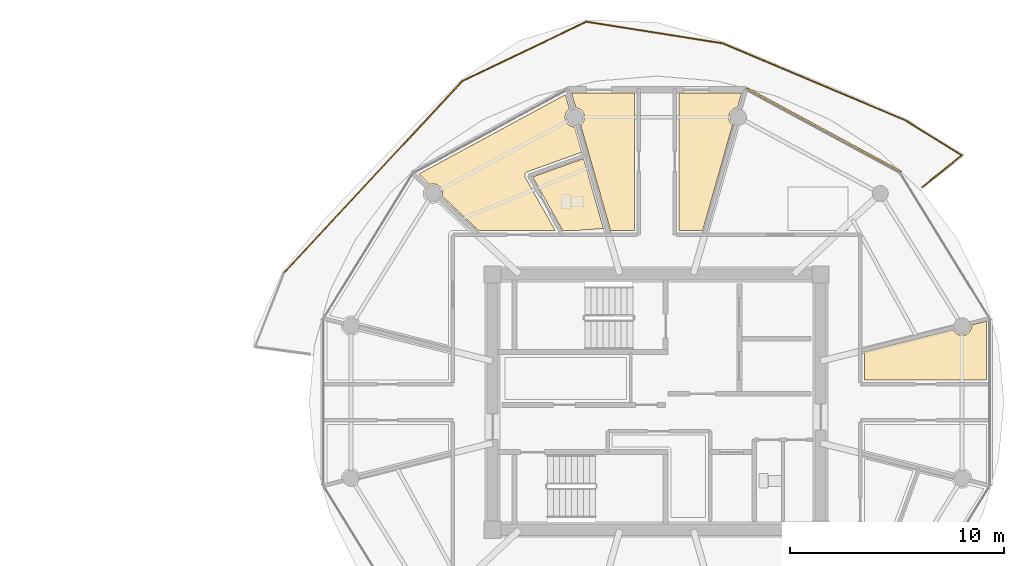
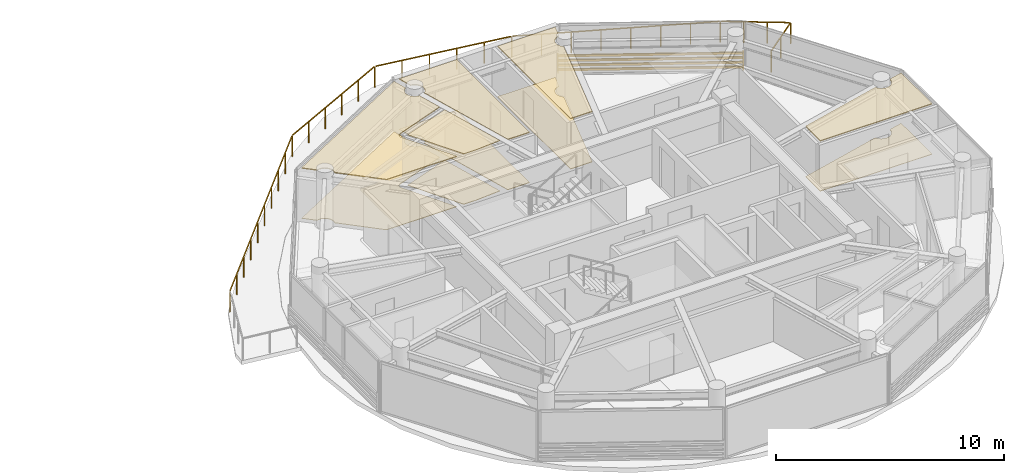
# One storey, part 20 of 21: 10 coverings, 1 railing, 1 shading device.
"""IFC4 building model written with IfcOpenShell, lengths in metres."""

from ifc_helpers import new_model, si_unit, direction, frame, origin, origin_2d, place, context, subcontext, project, spatial, polyline, rectangle, outline, extrude, source, transform, mapped, material, layer, layer_set, type_object, type_shapes, element, save


model = new_model("IFC4")

# Units and contexts
model_context = context("Model", 3, precision=1e-05, world=origin(), true_north=direction((0.0, 1.0)))
body_context = subcontext(model_context, "Body", "Model", "MODEL_VIEW")
ifc_project = project(units=[si_unit("LENGTHUNIT", "METRE"), si_unit("AREAUNIT", "SQUARE_METRE"), si_unit("VOLUMEUNIT", "CUBIC_METRE"), si_unit("PLANEANGLEUNIT", "RADIAN"), si_unit("MASSUNIT", "GRAM", prefix="KILO")], contexts=[model_context])

# Site, building, storey
site_placement = place(None, origin())
site = spatial("IfcSite", under=ifc_project, at=site_placement, CompositionType="ELEMENT")
building_placement = place(site_placement, origin())
building = spatial("IfcBuilding", under=site, at=building_placement, Name="Norrkilde Senior Care Towers", CompositionType="ELEMENT")
storey_placement = place(building_placement, frame((0.0, 0.0, 241.35009765625)))
storey = spatial("IfcBuildingStorey", under=building, at=storey_placement, Name="L75", CompositionType="ELEMENT", Elevation=241.35009765625)

# Coverings
ifc_material_1 = material(Name="Nordic Ash Timber", Category="wood")
ifc_layer_1 = layer(ifc_material_1, 0.044921875)
ifc_layer_set_1 = layer_set([ifc_layer_1], Name="Nordic Ash Timber")
covering_type_1 = type_object("IfcCoveringType", Name="Acoustic Ash Timber Slatted Ceiling 45", PredefinedType="CEILING", material=ifc_layer_set_1)
covering_1_placement = place(storey_placement, frame((0.0, 0.0, 2.684814453125)))
element("IfcCovering", 1, at=covering_1_placement, inside=storey, type_object=covering_type_1, Name="L75 Suspended Ceiling 0483", PredefinedType="CEILING", context=body_context, shape_type="SweptSolid", body=[
    extrude(outline(polyline([(26.9599609375, 14.407470703125), (26.9599609375, 8.0), (25.855224609375, 8.0), (24.458251953125, 12.924560546875), (24.504150390625, 12.959716796875), (24.576416015625, 13.053955078125), (24.621826171875, 13.163818359375), (24.637451171875, 13.281494140625), (24.621826171875, 13.399169921875), (24.576416015625, 13.509033203125), (24.504150390625, 13.603271484375), (24.409912109375, 13.675537109375), (24.30029296875, 13.720947265625), (24.229736328125, 13.730224609375), (24.03759765625, 14.407470703125), (26.9599609375, 14.407470703125)])), origin(), (0.0, 0.0, 1.0), 0.045166015625),
])
covering_2_placement = place(storey_placement, frame((0.0, 0.0, 2.684814453125)))
element("IfcCovering", 2, at=covering_2_placement, inside=storey, type_object=covering_type_1, Name="L75 Suspended Ceiling 0484", PredefinedType="CEILING", context=body_context, shape_type="SweptSolid", body=[
    extrude(outline(polyline([(31.96240234375, 14.407470703125), (31.770263671875, 13.730224609375), (31.69970703125, 13.720947265625), (31.590087890625, 13.675537109375), (31.495849609375, 13.603271484375), (31.423583984375, 13.509033203125), (31.378173828125, 13.399169921875), (31.362548828125, 13.281494140625), (31.378173828125, 13.163818359375), (31.423583984375, 13.053955078125), (31.495849609375, 12.959716796875), (31.541748046875, 12.924560546875), (30.144775390625, 8.0), (29.0400390625, 8.0), (29.0400390625, 14.407470703125), (31.96240234375, 14.407470703125)])), origin(), (0.0, 0.0, 1.0), 0.045166015625),
])
covering_3_placement = place(storey_placement, frame((0.0, 0.0, 2.684814453125)))
element("IfcCovering", 3, at=covering_3_placement, inside=storey, type_object=covering_type_1, Name="L75 Suspended Ceiling 0486", PredefinedType="CEILING", context=body_context, shape_type="SweptSolid", body=[
    extrude(outline(polyline([(43.37353515625, 1.0400390625), (37.699951171875, 1.0400390625), (37.699951171875, 2.331298828125), (41.834228515625, 3.377685546875), (41.853271484375, 3.331298828125), (41.92578125, 3.237060546875), (42.02001953125, 3.164794921875), (42.129638671875, 3.119384765625), (42.247314453125, 3.103759765625), (42.365234375, 3.119384765625), (42.474853515625, 3.164794921875), (42.569091796875, 3.237060546875), (42.641357421875, 3.331298828125), (42.68701171875, 3.44091796875), (42.702392578125, 3.558837890625), (42.697509765625, 3.59619140625), (43.37353515625, 3.76708984375), (43.37353515625, 1.0400390625)])), origin(), (0.0, 0.0, 1.0), 0.045166015625),
])
covering_4_placement = place(storey_placement, frame((0.0, 0.0, 2.684814453125)))
element("IfcCovering", 4, at=covering_4_placement, inside=storey, type_object=covering_type_1, Name="L75 Suspended Ceiling 0488", PredefinedType="CEILING", context=body_context, shape_type="SweptSolid", body=[
    extrude(outline(polyline([(21.9404296875, 10.7255859375), (21.934814453125, 10.7216796875), (21.925537109375, 10.71484375), (21.920166015625, 10.710693359375), (21.91162109375, 10.702880859375), (21.90673828125, 10.6982421875), (21.89892578125, 10.689697265625), (21.89453125, 10.684326171875), (21.8876953125, 10.675048828125), (21.8837890625, 10.66943359375), (21.877685546875, 10.65966796875), (21.87451171875, 10.65380859375), (21.869384765625, 10.643310546875), (21.86669921875, 10.63720703125), (21.86279296875, 10.626220703125), (21.860595703125, 10.619873046875), (21.857666015625, 10.608642578125), (21.856201171875, 10.60205078125), (21.8544921875, 10.590576171875), (21.853515625, 10.583740234375), (21.852783203125, 10.572265625), (21.852783203125, 10.5654296875), (21.85302734375, 10.553955078125), (21.853515625, 10.547119140625), (21.85498046875, 10.53564453125), (21.856201171875, 10.529052734375), (21.85888671875, 10.517578125), (21.860595703125, 10.51123046875), (21.8642578125, 10.500244140625), (21.86669921875, 10.493896484375), (21.871337890625, 10.483154296875), (21.87451171875, 10.47705078125), (21.877197265625, 10.471923828125), (23.27099609375, 8.0), (19.705322265625, 8.0), (18.0087890625, 9.6025390625), (18.009765625, 9.60498046875), (18.025146484375, 9.72265625), (18.009765625, 9.840576171875), (17.964111328125, 9.9501953125), (17.891845703125, 10.04443359375), (17.797607421875, 10.11669921875), (17.68798828125, 10.162109375), (17.570068359375, 10.177734375), (17.452392578125, 10.162109375), (17.42724609375, 10.15185546875), (16.91357421875, 10.636962890625), (23.746337890625, 14.335693359375), (23.937255859375, 13.662109375), (23.860595703125, 13.603271484375), (23.788330078125, 13.509033203125), (23.742919921875, 13.399169921875), (23.7275390625, 13.281494140625), (23.742919921875, 13.163818359375), (23.788330078125, 13.053955078125), (23.860595703125, 12.959716796875), (23.954833984375, 12.887451171875), (24.064697265625, 12.842041015625), (24.174072265625, 12.82763671875), (24.508056640625, 11.650634765625), (21.978515625, 10.744140625), (21.97314453125, 10.7421875), (21.966796875, 10.739501953125), (21.956298828125, 10.734619140625), (21.950439453125, 10.7314453125), (21.9404296875, 10.7255859375)])), origin(), (0.0, 0.0, 1.0), 0.045166015625),
])

# Railing
ifc_material_2 = material(Name="Anodised Aluminium", Category="aluminium")
railing_type = type_object("IfcRailingType", Name="Balcony Swirl Ribbon Guardrail 1150", PredefinedType="GUARDRAIL", material=ifc_material_2)
railing_placement = place(storey_placement, frame((10.617431640625, 6.021240234375, 0.0)))
element("IfcRailing", 5, at=railing_placement, inside=storey, type_object=railing_type, Name="L75 Perimeter Safety Guard 01", PredefinedType="GUARDRAIL", context=body_context, shape_type="SweptSolid", body=[
    extrude(rectangle(XDim=0.048095703125, YDim=0.048095703125, at=origin_2d()), frame((0.0, 0.0, 1.1259765625), z_axis=(0.680966679703, 0.732314400469, 0.0), x_axis=(-0.732314400469, 0.680966679703, 0.0)), (0.0, 0.0, 1.0), 12.178466796875),
    extrude(rectangle(XDim=0.048095703125, YDim=0.048095703125, at=origin_2d()), frame((8.35791015625, 8.966064453125, 1.1259765625), z_axis=(0.902106529392, 0.431513394495, 0.0), x_axis=(-0.431513394495, 0.902106529392, 0.0)), (0.0, 0.0, 1.0), 6.334228515625),
    extrude(rectangle(XDim=0.048095703125, YDim=0.048095703125, at=origin_2d()), frame((14.149169921875, 11.710693359375, 1.1259765625), z_axis=(0.987644093939, -0.156713572183, 0.0), x_axis=(0.156713572183, 0.987644093939, 0.0)), (0.0, 0.0, 1.0), 6.361572265625),
    extrude(rectangle(XDim=0.048095703125, YDim=0.048095703125, at=origin_2d()), frame((20.51025390625, 10.69140625, 1.1259765625), z_axis=(0.921416473427, -0.388576482172, 0.0), x_axis=(0.388576482172, 0.921416473427, 0.0)), (0.0, 0.0, 1.0), 9.16162109375),
    extrude(rectangle(XDim=0.048095703125, YDim=0.048095703125, at=origin_2d()), frame((29.0244140625, 7.093994140625, 1.1259765625), z_axis=(0.849636504071, -0.527368761826, 0.0), x_axis=(0.527368761826, 0.849636504071, 0.0)), (0.0, 0.0, 1.0), 3.00830078125),
    extrude(rectangle(XDim=0.048095703125, YDim=0.048095703125, at=origin_2d()), frame((31.583251953125, 5.460205078125, 1.1259765625), z_axis=(-0.780363358272, -0.625326338056, 0.0), x_axis=(0.625326338056, -0.780363358272, 0.0)), (0.0, 0.0, 1.0), 2.31640625),
    extrude(rectangle(XDim=0.0419921875, YDim=0.0419921875, at=origin_2d()), origin(), (0.0, 0.0, 1.0), 1.099853515625),
    extrude(rectangle(XDim=0.0419921875, YDim=0.0419921875, at=origin_2d()), frame((0.924560546875, 0.994384765625, 0.0)), (0.0, 0.0, 1.0), 1.099853515625),
    extrude(rectangle(XDim=0.0419921875, YDim=0.0419921875, at=origin_2d()), frame((1.84912109375, 1.988525390625, 0.0)), (0.0, 0.0, 1.0), 1.099853515625),
    extrude(rectangle(XDim=0.0419921875, YDim=0.0419921875, at=origin_2d()), frame((2.773681640625, 2.98291015625, 0.0)), (0.0, 0.0, 1.0), 1.099853515625),
    extrude(rectangle(XDim=0.0419921875, YDim=0.0419921875, at=origin_2d()), frame((3.6982421875, 3.97705078125, 0.0)), (0.0, 0.0, 1.0), 1.099853515625),
    extrude(rectangle(XDim=0.0419921875, YDim=0.0419921875, at=origin_2d()), frame((4.622802734375, 4.971435546875, 0.0)), (0.0, 0.0, 1.0), 1.099853515625),
    extrude(rectangle(XDim=0.0419921875, YDim=0.0419921875, at=origin_2d()), frame((5.54736328125, 5.965576171875, 0.0)), (0.0, 0.0, 1.0), 1.099853515625),
    extrude(rectangle(XDim=0.0419921875, YDim=0.0419921875, at=origin_2d()), frame((6.471923828125, 6.9599609375, 0.0)), (0.0, 0.0, 1.0), 1.099853515625),
    extrude(rectangle(XDim=0.0419921875, YDim=0.0419921875, at=origin_2d()), frame((7.396484375, 7.9541015625, 0.0)), (0.0, 0.0, 1.0), 1.099853515625),
    extrude(rectangle(XDim=0.0419921875, YDim=0.0419921875, at=origin_2d()), frame((8.321044921875, 8.948486328125, 0.0)), (0.0, 0.0, 1.0), 1.099853515625),
    extrude(rectangle(XDim=0.0419921875, YDim=0.0419921875, at=origin_2d()), frame((9.478515625, 9.502197265625, 0.0)), (0.0, 0.0, 1.0), 1.099853515625),
    extrude(rectangle(XDim=0.0419921875, YDim=0.0419921875, at=origin_2d()), frame((10.63623046875, 10.055908203125, 0.0)), (0.0, 0.0, 1.0), 1.099853515625),
    extrude(rectangle(XDim=0.0419921875, YDim=0.0419921875, at=origin_2d()), frame((11.793701171875, 10.609619140625, 0.0)), (0.0, 0.0, 1.0), 1.099853515625),
    extrude(rectangle(XDim=0.0419921875, YDim=0.0419921875, at=origin_2d()), frame((12.951416015625, 11.163330078125, 0.0)), (0.0, 0.0, 1.0), 1.099853515625),
    extrude(rectangle(XDim=0.0419921875, YDim=0.0419921875, at=origin_2d()), frame((14.10888671875, 11.717041015625, 0.0)), (0.0, 0.0, 1.0), 1.099853515625),
    extrude(rectangle(XDim=0.0419921875, YDim=0.0419921875, at=origin_2d()), frame((15.381591796875, 11.51513671875, 0.0)), (0.0, 0.0, 1.0), 1.099853515625),
    extrude(rectangle(XDim=0.0419921875, YDim=0.0419921875, at=origin_2d()), frame((16.654296875, 11.313232421875, 0.0)), (0.0, 0.0, 1.0), 1.099853515625),
    extrude(rectangle(XDim=0.0419921875, YDim=0.0419921875, at=origin_2d()), frame((17.92724609375, 11.111083984375, 0.0)), (0.0, 0.0, 1.0), 1.099853515625),
    extrude(rectangle(XDim=0.0419921875, YDim=0.0419921875, at=origin_2d()), frame((19.199951171875, 10.9091796875, 0.0)), (0.0, 0.0, 1.0), 1.099853515625),
    extrude(rectangle(XDim=0.0419921875, YDim=0.0419921875, at=origin_2d()), frame((20.47265625, 10.707275390625, 0.0)), (0.0, 0.0, 1.0), 1.099853515625),
    extrude(rectangle(XDim=0.0419921875, YDim=0.0419921875, at=origin_2d()), frame((21.689453125, 10.194091796875, 0.0)), (0.0, 0.0, 1.0), 1.099853515625),
    extrude(rectangle(XDim=0.0419921875, YDim=0.0419921875, at=origin_2d()), frame((22.906005859375, 9.68115234375, 0.0)), (0.0, 0.0, 1.0), 1.099853515625),
    extrude(rectangle(XDim=0.0419921875, YDim=0.0419921875, at=origin_2d()), frame((24.122802734375, 9.16796875, 0.0)), (0.0, 0.0, 1.0), 1.099853515625),
    extrude(rectangle(XDim=0.0419921875, YDim=0.0419921875, at=origin_2d()), frame((25.339599609375, 8.65478515625, 0.0)), (0.0, 0.0, 1.0), 1.099853515625),
    extrude(rectangle(XDim=0.0419921875, YDim=0.0419921875, at=origin_2d()), frame((26.556396484375, 8.1416015625, 0.0)), (0.0, 0.0, 1.0), 1.099853515625),
    extrude(rectangle(XDim=0.0419921875, YDim=0.0419921875, at=origin_2d()), frame((27.77294921875, 7.628662109375, 0.0)), (0.0, 0.0, 1.0), 1.099853515625),
    extrude(rectangle(XDim=0.0419921875, YDim=0.0419921875, at=origin_2d()), frame((28.98974609375, 7.115478515625, 0.0)), (0.0, 0.0, 1.0), 1.099853515625),
    extrude(rectangle(XDim=0.0419921875, YDim=0.0419921875, at=origin_2d()), frame((29.864990234375, 6.572265625, 0.0)), (0.0, 0.0, 1.0), 1.099853515625),
    extrude(rectangle(XDim=0.0419921875, YDim=0.0419921875, at=origin_2d()), frame((30.739990234375, 6.029052734375, 0.0)), (0.0, 0.0, 1.0), 1.099853515625),
    extrude(rectangle(XDim=0.0419921875, YDim=0.0419921875, at=origin_2d()), frame((31.615234375, 5.48583984375, 0.0)), (0.0, 0.0, 1.0), 1.099853515625),
    extrude(rectangle(XDim=0.0419921875, YDim=0.0419921875, at=origin_2d()), frame((30.6953125, 4.748779296875, 0.0)), (0.0, 0.0, 1.0), 1.099853515625),
    extrude(rectangle(XDim=0.0419921875, YDim=0.0419921875, at=origin_2d()), frame((29.775634765625, 4.01171875, 0.0)), (0.0, 0.0, 1.0), 1.099853515625),
])

# Coverings
ifc_material_3 = material(Name="Gypsum Acoustic Board")
ifc_layer_2 = layer(ifc_material_3, 0.030029296875)
ifc_layer_set_2 = layer_set([ifc_layer_2], Name="Gypsum Acoustic Board")
covering_type_2 = type_object("IfcCoveringType", Name="Medical Cleanable Gypsum Ceiling 30", PredefinedType="CEILING", material=ifc_layer_set_2)
covering_5_placement = place(storey_placement, frame((0.0, 0.0, 2.699951171875)))
element("IfcCovering", 6, at=covering_5_placement, inside=storey, type_object=covering_type_2, Name="L75 Suspended Ceiling 0489", PredefinedType="CEILING", context=body_context, shape_type="SweptSolid", body=[
    extrude(outline(polyline([(22.217041015625, 10.50048828125), (24.5927734375, 11.3515625), (25.516357421875, 8.095458984375), (24.24609375, 8.0), (23.626953125, 8.0), (22.217041015625, 10.50048828125)])), origin(), (0.0, 0.0, 1.0), 0.030029296875),
])
ifc_material_4 = material(Name="Slip-Resistant Porcelain Stone", Category="masonry")
ifc_layer_3 = layer(ifc_material_4, 0.02490234375)
ifc_layer_set_3 = layer_set([ifc_layer_3], Name="Slip-Resistant Porcelain Stone")
covering_type_3 = type_object("IfcCoveringType", Name="Slip-Resistant Porcelain Flooring 25", PredefinedType="FLOORING", material=ifc_layer_set_3)
covering_6_placement = place(storey_placement, origin())
element("IfcCovering", 7, at=covering_6_placement, inside=storey, type_object=covering_type_3, Name="L75 Floor Finish 0483", PredefinedType="FLOORING", context=body_context, shape_type="SweptSolid", body=[
    extrude(outline(polyline([(26.9599609375, 14.407470703125), (26.9599609375, 8.0), (25.855224609375, 8.0), (24.458251953125, 12.924560546875), (24.504150390625, 12.959716796875), (24.576416015625, 13.053955078125), (24.621826171875, 13.163818359375), (24.637451171875, 13.281494140625), (24.621826171875, 13.399169921875), (24.576416015625, 13.509033203125), (24.504150390625, 13.603271484375), (24.409912109375, 13.675537109375), (24.30029296875, 13.720947265625), (24.229736328125, 13.730224609375), (24.03759765625, 14.407470703125), (26.9599609375, 14.407470703125)])), origin(), (0.0, 0.0, 1.0), 0.02490234375),
])
covering_7_placement = place(storey_placement, origin())
element("IfcCovering", 8, at=covering_7_placement, inside=storey, type_object=covering_type_3, Name="L75 Floor Finish 0484", PredefinedType="FLOORING", context=body_context, shape_type="SweptSolid", body=[
    extrude(outline(polyline([(31.96240234375, 14.407470703125), (31.770263671875, 13.730224609375), (31.69970703125, 13.720947265625), (31.590087890625, 13.675537109375), (31.495849609375, 13.603271484375), (31.423583984375, 13.509033203125), (31.378173828125, 13.399169921875), (31.362548828125, 13.281494140625), (31.378173828125, 13.163818359375), (31.423583984375, 13.053955078125), (31.495849609375, 12.959716796875), (31.541748046875, 12.924560546875), (30.144775390625, 8.0), (29.0400390625, 8.0), (29.0400390625, 14.407470703125), (31.96240234375, 14.407470703125)])), origin(), (0.0, 0.0, 1.0), 0.02490234375),
])
covering_8_placement = place(storey_placement, origin())
element("IfcCovering", 9, at=covering_8_placement, inside=storey, type_object=covering_type_3, Name="L75 Floor Finish 0486", PredefinedType="FLOORING", context=body_context, shape_type="SweptSolid", body=[
    extrude(outline(polyline([(43.37353515625, 1.0400390625), (37.699951171875, 1.0400390625), (37.699951171875, 2.331298828125), (41.834228515625, 3.377685546875), (41.853271484375, 3.331298828125), (41.92578125, 3.237060546875), (42.02001953125, 3.164794921875), (42.129638671875, 3.119384765625), (42.247314453125, 3.103759765625), (42.365234375, 3.119384765625), (42.474853515625, 3.164794921875), (42.569091796875, 3.237060546875), (42.641357421875, 3.331298828125), (42.68701171875, 3.44091796875), (42.702392578125, 3.558837890625), (42.697509765625, 3.59619140625), (43.37353515625, 3.76708984375), (43.37353515625, 1.0400390625)])), origin(), (0.0, 0.0, 1.0), 0.02490234375),
])
covering_9_placement = place(storey_placement, origin())
element("IfcCovering", 10, at=covering_9_placement, inside=storey, type_object=covering_type_3, Name="L75 Floor Finish 0488", PredefinedType="FLOORING", context=body_context, shape_type="SweptSolid", body=[
    extrude(outline(polyline([(21.9404296875, 10.7255859375), (21.934814453125, 10.7216796875), (21.925537109375, 10.71484375), (21.920166015625, 10.710693359375), (21.91162109375, 10.702880859375), (21.90673828125, 10.6982421875), (21.89892578125, 10.689697265625), (21.89453125, 10.684326171875), (21.8876953125, 10.675048828125), (21.8837890625, 10.66943359375), (21.877685546875, 10.65966796875), (21.87451171875, 10.65380859375), (21.869384765625, 10.643310546875), (21.86669921875, 10.63720703125), (21.86279296875, 10.626220703125), (21.860595703125, 10.619873046875), (21.857666015625, 10.608642578125), (21.856201171875, 10.60205078125), (21.8544921875, 10.590576171875), (21.853515625, 10.583740234375), (21.852783203125, 10.572265625), (21.852783203125, 10.5654296875), (21.85302734375, 10.553955078125), (21.853515625, 10.547119140625), (21.85498046875, 10.53564453125), (21.856201171875, 10.529052734375), (21.85888671875, 10.517578125), (21.860595703125, 10.51123046875), (21.8642578125, 10.500244140625), (21.86669921875, 10.493896484375), (21.871337890625, 10.483154296875), (21.87451171875, 10.47705078125), (21.877197265625, 10.471923828125), (23.27099609375, 8.0), (19.705322265625, 8.0), (18.0087890625, 9.6025390625), (18.009765625, 9.60498046875), (18.025146484375, 9.72265625), (18.009765625, 9.840576171875), (17.964111328125, 9.9501953125), (17.891845703125, 10.04443359375), (17.797607421875, 10.11669921875), (17.68798828125, 10.162109375), (17.570068359375, 10.177734375), (17.452392578125, 10.162109375), (17.42724609375, 10.15185546875), (16.91357421875, 10.636962890625), (23.746337890625, 14.335693359375), (23.937255859375, 13.662109375), (23.860595703125, 13.603271484375), (23.788330078125, 13.509033203125), (23.742919921875, 13.399169921875), (23.7275390625, 13.281494140625), (23.742919921875, 13.163818359375), (23.788330078125, 13.053955078125), (23.860595703125, 12.959716796875), (23.954833984375, 12.887451171875), (24.064697265625, 12.842041015625), (24.174072265625, 12.82763671875), (24.508056640625, 11.650634765625), (21.978515625, 10.744140625), (21.97314453125, 10.7421875), (21.966796875, 10.739501953125), (21.956298828125, 10.734619140625), (21.950439453125, 10.7314453125), (21.9404296875, 10.7255859375)])), origin(), (0.0, 0.0, 1.0), 0.02490234375),
])
covering_10_placement = place(storey_placement, origin())
element("IfcCovering", 11, at=covering_10_placement, inside=storey, type_object=covering_type_3, Name="L75 Floor Finish 0489", PredefinedType="FLOORING", context=body_context, shape_type="SweptSolid", body=[
    extrude(outline(polyline([(22.217041015625, 10.50048828125), (24.5927734375, 11.3515625), (25.516357421875, 8.095458984375), (24.24609375, 8.0), (23.626953125, 8.0), (22.217041015625, 10.50048828125)])), origin(), (0.0, 0.0, 1.0), 0.02490234375),
])

# Shading device
ifc_material_5 = material(Name="Architectural Terracotta", Category="masonry")
shading_device_type = type_object("IfcShadingDeviceType", Name="Horizontal Terracotta Baguette Rack", PredefinedType="USERDEFINED", material=ifc_material_5)
shared_shape = source(origin(), body_context, "Body", "SweptSolid", [
    extrude(rectangle(XDim=0.070068359375, YDim=0.110107421875, at=origin_2d()), frame((0.0, 0.090087890625, 0.125), z_axis=(1.0, 0.0, 0.0), x_axis=(0.0, 1.0, 0.0)), (0.0, 0.0, 1.0), 8.197265625),
    extrude(rectangle(XDim=0.070068359375, YDim=0.110107421875, at=origin_2d()), frame((0.0, 0.090087890625, 0.375), z_axis=(1.0, 0.0, 0.0), x_axis=(0.0, 1.0, 0.0)), (0.0, 0.0, 1.0), 8.197265625),
    extrude(rectangle(XDim=0.070068359375, YDim=0.110107421875, at=origin_2d()), frame((0.0, 0.090087890625, 0.625), z_axis=(1.0, 0.0, 0.0), x_axis=(0.0, 1.0, 0.0)), (0.0, 0.0, 1.0), 8.197265625),
    extrude(rectangle(XDim=0.070068359375, YDim=0.110107421875, at=origin_2d()), frame((0.0, 0.090087890625, 0.875), z_axis=(1.0, 0.0, 0.0), x_axis=(0.0, 1.0, 0.0)), (0.0, 0.0, 1.0), 8.197265625),
    extrude(rectangle(XDim=0.050048828125, YDim=0.1552734375, at=origin_2d()), frame((0.02490234375, 0.047607421875, 0.0)), (0.0, 0.0, 1.0), 1.0),
    extrude(rectangle(XDim=0.050048828125, YDim=0.1552734375, at=origin_2d()), frame((8.17236328125, 0.047607421875, 0.0)), (0.0, 0.0, 1.0), 1.0),
])
type_shapes(shading_device_type, [shared_shape])
shading_device_placement = place(storey_placement, frame((32.161865234375, 14.566162109375, 0.079833984375), z_axis=(0.0, 0.0, 1.0), x_axis=(0.879378127234, -0.476143674053, 0.0)))
element("IfcShadingDevice", 12, at=shading_device_placement, inside=storey, type_object=shading_device_type, Name="L75 Drum E Terracotta Baguette Screen 01", ObjectType="BAGUETTE", PredefinedType="USERDEFINED", context=body_context, shape_type="MappedRepresentation", body=[
    mapped(shared_shape, transform((0.0, 0.0, 0.0), x_axis=(1.0, 0.0, 0.0), y_axis=(0.0, 1.0, 0.0), z_axis=(0.0, 0.0, 1.0), scale=1.0)),
])

save(model, "model.ifc")
